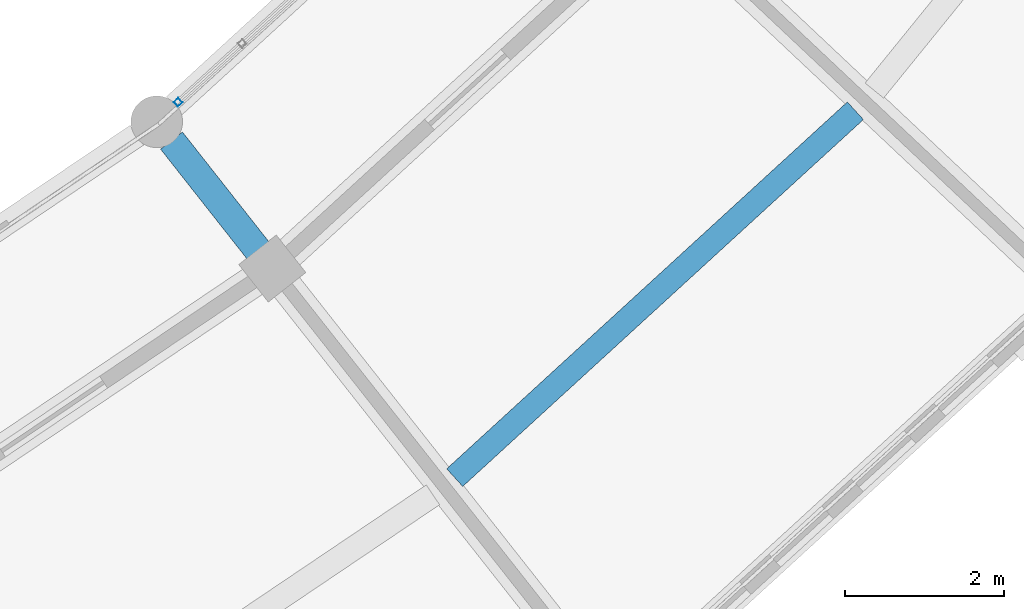
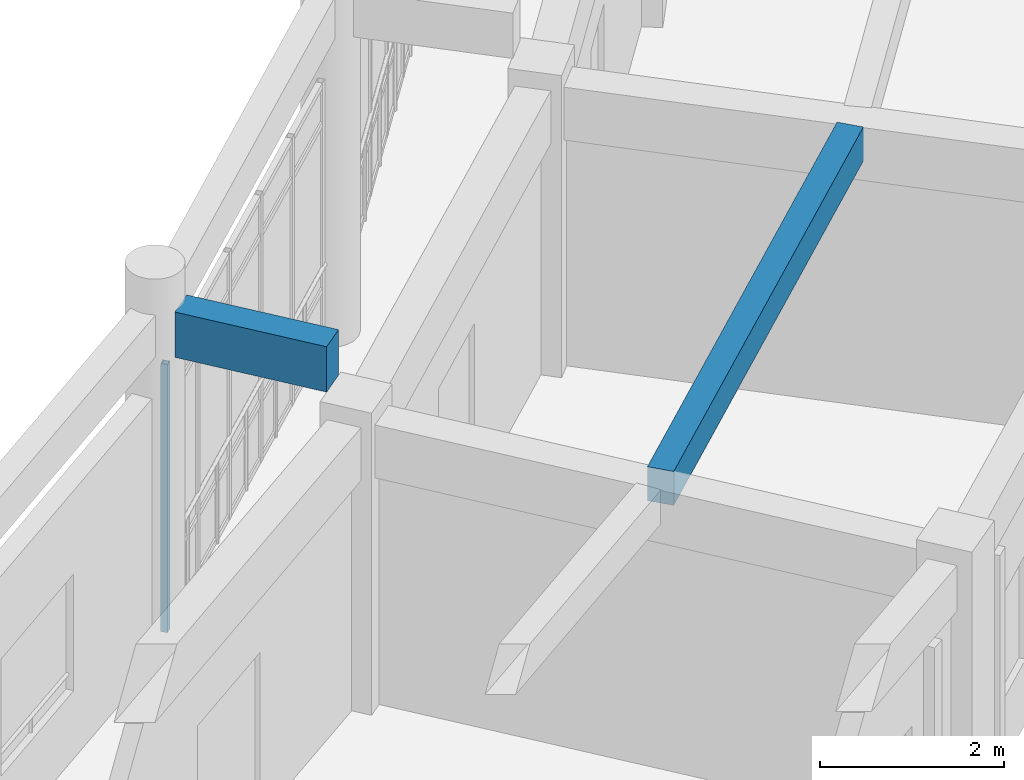
# One storey, part 41 of 159: 2 beams, 1 member, 1 element without a shape of its own.
"""IFC4 building model written with IfcOpenShell, lengths in metres."""

from ifc_helpers import new_model, si_unit, direction, frame, origin, origin_2d, place, context, subcontext, project, spatial, rectangle, hollow_rectangle, extrude, material, material_profile, profile_set, type_object, element, aggregate, save


model = new_model("IFC4")

# Units and contexts
model_context = context("Model", 3, precision=1e-05, world=origin(), true_north=direction((0.0, 1.0)))
body_context = subcontext(model_context, "Body", "Model", "MODEL_VIEW")
ifc_project = project(units=[si_unit("LENGTHUNIT", "METRE"), si_unit("AREAUNIT", "SQUARE_METRE"), si_unit("VOLUMEUNIT", "CUBIC_METRE"), si_unit("PLANEANGLEUNIT", "RADIAN"), si_unit("MASSUNIT", "GRAM", prefix="KILO")], contexts=[model_context])

# Site, building, storey
site_placement = place(None, origin())
site = spatial("IfcSite", under=ifc_project, at=site_placement, CompositionType="ELEMENT")
building_placement = place(site_placement, origin())
building = spatial("IfcBuilding", under=site, at=building_placement, Name="Celadon Cloister-Ring School", CompositionType="ELEMENT")
storey_placement = place(building_placement, frame((0.0, 0.0, 4.5)))
storey = spatial("IfcBuildingStorey", under=building, at=storey_placement, Name="L01", CompositionType="ELEMENT", Elevation=4.5)

# Beam
ifc_material_1 = material(Name="Concrete C35/45", Category="concrete")
ifc_material_profile_1 = material_profile(ifc_material_1, rectangle(XDim=0.35009765625, YDim=0.60009765625, at=origin_2d()), Name="RC350X600")
ifc_profile_set_1 = profile_set([ifc_material_profile_1], Name="Concrete C35/45")
beam_type_1 = type_object("IfcBeamType", Name="BT-02", PredefinedType="BEAM", material=ifc_profile_set_1)
beam_1_placement = place(storey_placement, frame((114.677978515625, 23.867919921875, 4.35009765625), z_axis=(-0.618720442645, 0.785611235824, 0.0), x_axis=(-0.785611235824, -0.618720442645, 0.0)))
element("IfcBeam", 1, at=beam_1_placement, inside=storey, type_object=beam_type_1, Name="Beam 0241", PredefinedType="BEAM", context=body_context, shape_type="SweptSolid", body=[
    extrude(rectangle(XDim=0.35009765625, YDim=0.60009765625, at=origin_2d()), origin(), (0.0, 0.0, 1.0), 1.7744140625),
])

# Curtain wall, member
ifc_material_2 = material(Name="Aluminium EN AW-6063 T6", Category="aluminium")
curtain_wall_type = type_object("IfcCurtainWallType", Name="CW-01", PredefinedType="USERDEFINED", material=ifc_material_2)
curtain_wall_placement = place(storey_placement, origin())
curtain_wall = element("IfcCurtainWall", 2, at=curtain_wall_placement, inside=storey, type_object=curtain_wall_type, Name="Curtain Wall 0035", ObjectType="CURTAIN WALL", PredefinedType="USERDEFINED")
ifc_material_3 = material(Name="Aluminium EN AW-6063 T6", Category="aluminium")
ifc_material_profile_2 = material_profile(ifc_material_3, hollow_rectangle(XDim=0.080078125, YDim=0.080078125, WallThickness=0.00390625, at=origin_2d()), Name="RHS80X80X4")
ifc_profile_set_2 = profile_set([ifc_material_profile_2], Name="Aluminium EN AW-6063 T6")
member_type = type_object("IfcMemberType", Name="CM-03", PredefinedType="MULLION", material=ifc_profile_set_2)
member_placement = place(storey_placement, frame((113.66357421875, 25.744140625, 0.0), z_axis=(0.0, 0.0, 1.0), x_axis=(-0.675468961678, 0.737388419905, 0.0)))
member = element("IfcMember", 3, at=member_placement, type_object=member_type, Name="CW-01 mullion 1", PredefinedType="MULLION", context=body_context, shape_type="SweptSolid", body=[
    extrude(hollow_rectangle(XDim=0.080078125, YDim=0.080078125, WallThickness=0.00390625, at=origin_2d()), origin(), (0.0, 0.0, 1.0), 3.550048828125),
])
aggregate(curtain_wall, [member])

# Beam
ifc_material_4 = material(Name="Concrete C35/45", Category="concrete")
ifc_material_profile_3 = material_profile(ifc_material_4, rectangle(XDim=0.300048828125, YDim=0.449951171875, at=origin_2d()), Name="RC300X450")
ifc_profile_set_3 = profile_set([ifc_material_profile_3], Name="Concrete C35/45")
beam_type_2 = type_object("IfcBeamType", Name="JT-01", PredefinedType="JOIST", material=ifc_profile_set_3)
beam_2_placement = place(storey_placement, frame((117.14306640625, 21.02099609375, 3.554931640625), z_axis=(0.737515802412, 0.675329875833, 0.0), x_axis=(-0.675329875833, 0.737515802412, 0.0)))
element("IfcBeam", 4, at=beam_2_placement, inside=storey, type_object=beam_type_2, Name="Beam 0350", PredefinedType="JOIST", context=body_context, shape_type="SweptSolid", body=[
    extrude(rectangle(XDim=0.300048828125, YDim=0.449951171875, at=origin_2d()), origin(), (0.0, 0.0, 1.0), 6.835205078125),
])

save(model, "model.ifc")
